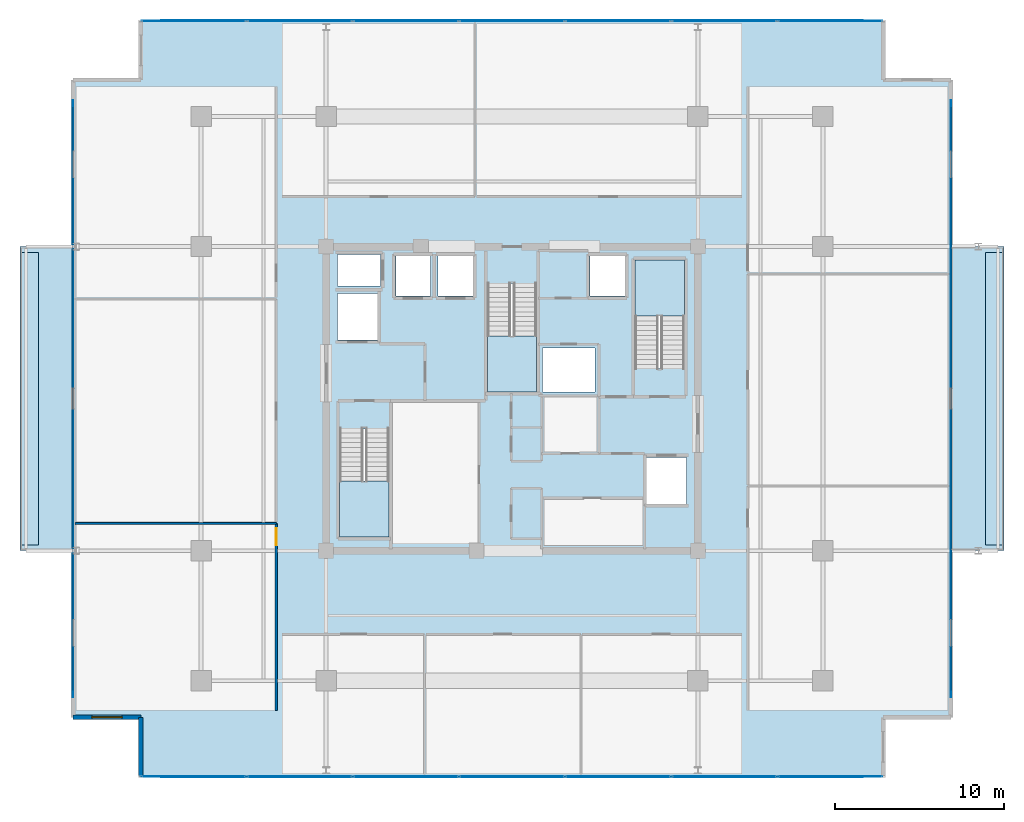
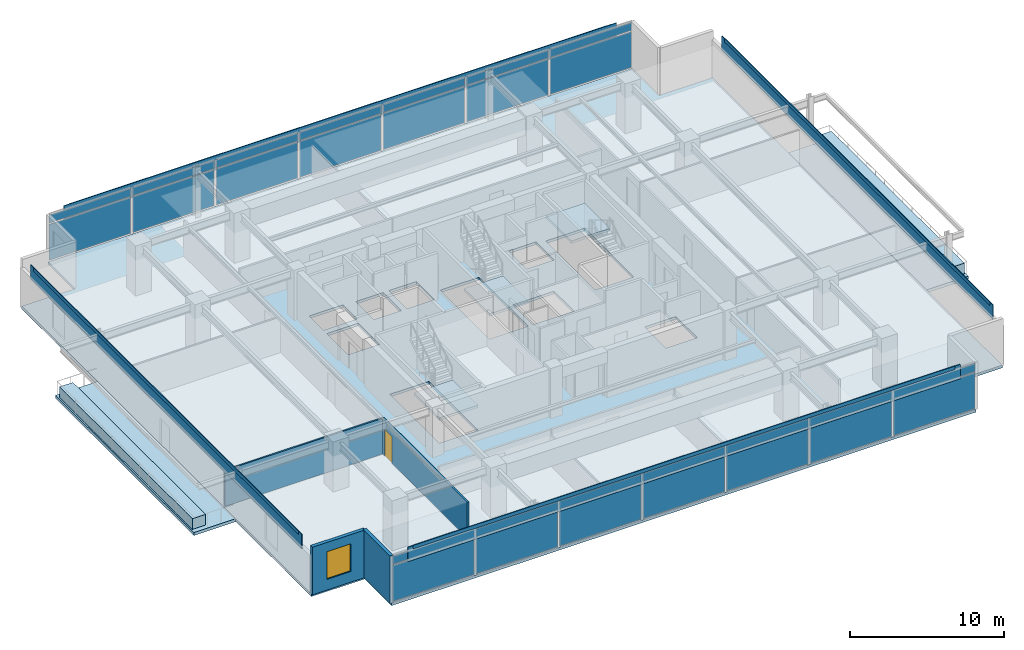
# One storey, part 13 of 21: 36 plates, 8 slabs, 4 walls, 1 door, 1 window, 2 openings, 5 elements without a shape of their own.
"""IFC4 building model written with IfcOpenShell, lengths in metres."""

from ifc_helpers import new_model, si_unit, direction, frame, frame_2d, origin, origin_2d, place, context, subcontext, project, spatial, polyline, rectangle, outline, extrude, material, layer, layer_set, type_object, element, fill, aggregate, save


model = new_model("IFC4")

# Units and contexts
model_context = context("Model", 3, precision=1e-05, world=origin(), true_north=direction((0.0, 1.0)))
body_context = subcontext(model_context, "Body", "Model", "MODEL_VIEW")
ifc_project = project(units=[si_unit("LENGTHUNIT", "METRE"), si_unit("AREAUNIT", "SQUARE_METRE"), si_unit("VOLUMEUNIT", "CUBIC_METRE"), si_unit("PLANEANGLEUNIT", "RADIAN"), si_unit("MASSUNIT", "GRAM", prefix="KILO")], contexts=[model_context])

# Site, building, storey
site_placement = place(None, origin())
site = spatial("IfcSite", under=ifc_project, at=site_placement, CompositionType="ELEMENT")
building_placement = place(site_placement, origin())
building = spatial("IfcBuilding", under=site, at=building_placement, Name="Kovane Verandah Tower", CompositionType="ELEMENT")
storey_placement = place(building_placement, frame((0.0, 0.0, 275.199951171875)))
storey = spatial("IfcBuildingStorey", under=building, at=storey_placement, Name="L64", CompositionType="ELEMENT", Elevation=275.199951171875)

# Curtain wall, plates
ifc_material_1 = material(Name="Champagne Anodised Aluminium Frame with Low-E Clear Laminated Glass", Category="aluminium")
curtain_wall_type = type_object("IfcCurtainWallType", Name="CW-SYS-05-HIGH", PredefinedType="NOTDEFINED", material=ifc_material_1)
curtain_wall_1_placement = place(storey_placement, origin())
curtain_wall_1 = element("IfcCurtainWall", 1, at=curtain_wall_1_placement, inside=storey, type_object=curtain_wall_type, Name="L64 S Unitised Curtain Wall", PredefinedType="NOTDEFINED")
ifc_material_2 = material(Name="Pale Champagne Anodised Aluminium Insulated Spandrel", Category="aluminium")
ifc_layer_1 = layer(ifc_material_2, 0.0400390625)
ifc_layer_set_1 = layer_set([ifc_layer_1], Name="Pale Champagne Anodised Aluminium Insulated Spandrel")
plate_type_1 = type_object("IfcPlateType", Name="PL-CW-SPD-40", PredefinedType="SHEET", material=ifc_layer_set_1)
plate_1_placement = place(storey_placement, frame((21.169189453125, 5.139892578125, 3.05517578125), z_axis=(0.0, 0.0, 1.0), x_axis=(1.0, 0.0, 0.0)))
plate_1 = element("IfcPlate", 2, at=plate_1_placement, type_object=plate_type_1, Name="L64 S Unitised Curtain Wall Spandrel Panel 1", PredefinedType="SHEET", context=body_context, shape_type="SweptSolid", body=[
    extrude(rectangle(XDim=6.136962890625, YDim=0.0400390625, at=origin_2d()), origin(), (0.0, 0.0, 1.0), 0.639892578125),
])
plate_2_placement = place(storey_placement, frame((27.446044921875, 5.139892578125, 3.05517578125), z_axis=(0.0, 0.0, 1.0), x_axis=(1.0, 0.0, 0.0)))
plate_2 = element("IfcPlate", 3, at=plate_2_placement, type_object=plate_type_1, Name="L64 S Unitised Curtain Wall Spandrel Panel 2", PredefinedType="SHEET", context=body_context, shape_type="SweptSolid", body=[
    extrude(rectangle(XDim=6.136962890625, YDim=0.0400390625, at=origin_2d()), origin(), (0.0, 0.0, 1.0), 0.639892578125),
])
plate_3_placement = place(storey_placement, frame((33.72314453125, 5.139892578125, 3.05517578125), z_axis=(0.0, 0.0, 1.0), x_axis=(1.0, 0.0, 0.0)))
plate_3 = element("IfcPlate", 4, at=plate_3_placement, type_object=plate_type_1, Name="L64 S Unitised Curtain Wall Spandrel Panel 3", PredefinedType="SHEET", context=body_context, shape_type="SweptSolid", body=[
    extrude(rectangle(XDim=6.136962890625, YDim=0.0400390625, at=origin_2d()), origin(), (0.0, 0.0, 1.0), 0.639892578125),
])
plate_4_placement = place(storey_placement, frame((40.0, 5.139892578125, 3.05517578125), z_axis=(0.0, 0.0, 1.0), x_axis=(1.0, 0.0, 0.0)))
plate_4 = element("IfcPlate", 5, at=plate_4_placement, type_object=plate_type_1, Name="L64 S Unitised Curtain Wall Spandrel Panel 4", PredefinedType="SHEET", context=body_context, shape_type="SweptSolid", body=[
    extrude(rectangle(XDim=6.136962890625, YDim=0.0400390625, at=origin_2d()), origin(), (0.0, 0.0, 1.0), 0.639892578125),
])
plate_5_placement = place(storey_placement, frame((46.27685546875, 5.139892578125, 3.05517578125), z_axis=(0.0, 0.0, 1.0), x_axis=(1.0, 0.0, 0.0)))
plate_5 = element("IfcPlate", 6, at=plate_5_placement, type_object=plate_type_1, Name="L64 S Unitised Curtain Wall Spandrel Panel 5", PredefinedType="SHEET", context=body_context, shape_type="SweptSolid", body=[
    extrude(rectangle(XDim=6.136962890625, YDim=0.0400390625, at=origin_2d()), origin(), (0.0, 0.0, 1.0), 0.639892578125),
])
plate_6_placement = place(storey_placement, frame((52.553955078125, 5.139892578125, 3.05517578125), z_axis=(0.0, 0.0, 1.0), x_axis=(1.0, 0.0, 0.0)))
plate_6 = element("IfcPlate", 7, at=plate_6_placement, type_object=plate_type_1, Name="L64 S Unitised Curtain Wall Spandrel Panel 6", PredefinedType="SHEET", context=body_context, shape_type="SweptSolid", body=[
    extrude(rectangle(XDim=6.136962890625, YDim=0.0400390625, at=origin_2d()), origin(), (0.0, 0.0, 1.0), 0.639892578125),
])
plate_7_placement = place(storey_placement, frame((58.830810546875, 5.139892578125, 3.05517578125), z_axis=(0.0, 0.0, 1.0), x_axis=(1.0, 0.0, 0.0)))
plate_7 = element("IfcPlate", 8, at=plate_7_placement, type_object=plate_type_1, Name="L64 S Unitised Curtain Wall Spandrel Panel 7", PredefinedType="SHEET", context=body_context, shape_type="SweptSolid", body=[
    extrude(rectangle(XDim=6.136962890625, YDim=0.0400390625, at=origin_2d()), origin(), (0.0, 0.0, 1.0), 0.639892578125),
])

curtain_wall_2_placement = place(storey_placement, origin())
curtain_wall_2 = element("IfcCurtainWall", 9, at=curtain_wall_2_placement, inside=storey, type_object=curtain_wall_type, Name="L64 N Unitised Curtain Wall", PredefinedType="NOTDEFINED")
plate_8_placement = place(storey_placement, frame((58.830810546875, 49.860107421875, 3.05517578125), z_axis=(0.0, 0.0, 1.0), x_axis=(-1.0, 0.0, 0.0)))
plate_8 = element("IfcPlate", 10, at=plate_8_placement, type_object=plate_type_1, Name="L64 N Unitised Curtain Wall Spandrel Panel 1", PredefinedType="SHEET", context=body_context, shape_type="SweptSolid", body=[
    extrude(rectangle(XDim=6.136962890625, YDim=0.0400390625, at=origin_2d()), origin(), (0.0, 0.0, 1.0), 0.639892578125),
])
plate_9_placement = place(storey_placement, frame((52.553955078125, 49.860107421875, 3.05517578125), z_axis=(0.0, 0.0, 1.0), x_axis=(-1.0, 0.0, 0.0)))
plate_9 = element("IfcPlate", 11, at=plate_9_placement, type_object=plate_type_1, Name="L64 N Unitised Curtain Wall Spandrel Panel 2", PredefinedType="SHEET", context=body_context, shape_type="SweptSolid", body=[
    extrude(rectangle(XDim=6.136962890625, YDim=0.0400390625, at=origin_2d()), origin(), (0.0, 0.0, 1.0), 0.639892578125),
])
plate_10_placement = place(storey_placement, frame((46.27685546875, 49.860107421875, 3.05517578125), z_axis=(0.0, 0.0, 1.0), x_axis=(-1.0, 0.0, 0.0)))
plate_10 = element("IfcPlate", 12, at=plate_10_placement, type_object=plate_type_1, Name="L64 N Unitised Curtain Wall Spandrel Panel 3", PredefinedType="SHEET", context=body_context, shape_type="SweptSolid", body=[
    extrude(rectangle(XDim=6.136962890625, YDim=0.0400390625, at=origin_2d()), origin(), (0.0, 0.0, 1.0), 0.639892578125),
])
plate_11_placement = place(storey_placement, frame((40.0, 49.860107421875, 3.05517578125), z_axis=(0.0, 0.0, 1.0), x_axis=(-1.0, 0.0, 0.0)))
plate_11 = element("IfcPlate", 13, at=plate_11_placement, type_object=plate_type_1, Name="L64 N Unitised Curtain Wall Spandrel Panel 4", PredefinedType="SHEET", context=body_context, shape_type="SweptSolid", body=[
    extrude(rectangle(XDim=6.136962890625, YDim=0.0400390625, at=origin_2d()), origin(), (0.0, 0.0, 1.0), 0.639892578125),
])
plate_12_placement = place(storey_placement, frame((33.72314453125, 49.860107421875, 3.05517578125), z_axis=(0.0, 0.0, 1.0), x_axis=(-1.0, 0.0, 0.0)))
plate_12 = element("IfcPlate", 14, at=plate_12_placement, type_object=plate_type_1, Name="L64 N Unitised Curtain Wall Spandrel Panel 5", PredefinedType="SHEET", context=body_context, shape_type="SweptSolid", body=[
    extrude(rectangle(XDim=6.136962890625, YDim=0.0400390625, at=origin_2d()), origin(), (0.0, 0.0, 1.0), 0.639892578125),
])
plate_13_placement = place(storey_placement, frame((27.446044921875, 49.860107421875, 3.05517578125), z_axis=(0.0, 0.0, 1.0), x_axis=(-1.0, 0.0, 0.0)))
plate_13 = element("IfcPlate", 15, at=plate_13_placement, type_object=plate_type_1, Name="L64 N Unitised Curtain Wall Spandrel Panel 6", PredefinedType="SHEET", context=body_context, shape_type="SweptSolid", body=[
    extrude(rectangle(XDim=6.136962890625, YDim=0.0400390625, at=origin_2d()), origin(), (0.0, 0.0, 1.0), 0.639892578125),
])
plate_14_placement = place(storey_placement, frame((21.169189453125, 49.860107421875, 3.05517578125), z_axis=(0.0, 0.0, 1.0), x_axis=(-1.0, 0.0, 0.0)))
plate_14 = element("IfcPlate", 16, at=plate_14_placement, type_object=plate_type_1, Name="L64 N Unitised Curtain Wall Spandrel Panel 7", PredefinedType="SHEET", context=body_context, shape_type="SweptSolid", body=[
    extrude(rectangle(XDim=6.136962890625, YDim=0.0400390625, at=origin_2d()), origin(), (0.0, 0.0, 1.0), 0.639892578125),
])

# Plate
ifc_material_3 = material(Name="Clear Low-E Laminated Double Glazing", Category="glass")
ifc_layer_2 = layer(ifc_material_3, 0.031982421875)
ifc_layer_set_2 = layer_set([ifc_layer_2], Name="Clear Low-E Laminated Double Glazing")
plate_type_2 = type_object("IfcPlateType", Name="PL-CW-VIS-32", PredefinedType="CURTAIN_PANEL", material=ifc_layer_set_2)
plate_15_placement = place(storey_placement, frame((21.169189453125, 5.139892578125, 0.10009765625), z_axis=(0.0, 0.0, 1.0), x_axis=(1.0, 0.0, 0.0)))
plate_15 = element("IfcPlate", 17, at=plate_15_placement, type_object=plate_type_2, Name="L64 S Unitised Curtain Wall Vision Panel 1", PredefinedType="CURTAIN_PANEL", context=body_context, shape_type="SweptSolid", body=[
    extrude(rectangle(XDim=6.136962890625, YDim=0.031982421875, at=origin_2d()), origin(), (0.0, 0.0, 1.0), 2.85498046875),
])

plate_16_placement = place(storey_placement, frame((27.446044921875, 5.139892578125, 0.10009765625), z_axis=(0.0, 0.0, 1.0), x_axis=(1.0, 0.0, 0.0)))
plate_16 = element("IfcPlate", 18, at=plate_16_placement, type_object=plate_type_2, Name="L64 S Unitised Curtain Wall Vision Panel 2", PredefinedType="CURTAIN_PANEL", context=body_context, shape_type="SweptSolid", body=[
    extrude(rectangle(XDim=6.136962890625, YDim=0.031982421875, at=origin_2d()), origin(), (0.0, 0.0, 1.0), 2.85498046875),
])

plate_17_placement = place(storey_placement, frame((33.72314453125, 5.139892578125, 0.10009765625), z_axis=(0.0, 0.0, 1.0), x_axis=(1.0, 0.0, 0.0)))
plate_17 = element("IfcPlate", 19, at=plate_17_placement, type_object=plate_type_2, Name="L64 S Unitised Curtain Wall Vision Panel 3", PredefinedType="CURTAIN_PANEL", context=body_context, shape_type="SweptSolid", body=[
    extrude(rectangle(XDim=6.136962890625, YDim=0.031982421875, at=origin_2d()), origin(), (0.0, 0.0, 1.0), 2.85498046875),
])

plate_18_placement = place(storey_placement, frame((40.0, 5.139892578125, 0.10009765625), z_axis=(0.0, 0.0, 1.0), x_axis=(1.0, 0.0, 0.0)))
plate_18 = element("IfcPlate", 20, at=plate_18_placement, type_object=plate_type_2, Name="L64 S Unitised Curtain Wall Vision Panel 4", PredefinedType="CURTAIN_PANEL", context=body_context, shape_type="SweptSolid", body=[
    extrude(rectangle(XDim=6.136962890625, YDim=0.031982421875, at=origin_2d()), origin(), (0.0, 0.0, 1.0), 2.85498046875),
])

plate_19_placement = place(storey_placement, frame((46.27685546875, 5.139892578125, 0.10009765625), z_axis=(0.0, 0.0, 1.0), x_axis=(1.0, 0.0, 0.0)))
plate_19 = element("IfcPlate", 21, at=plate_19_placement, type_object=plate_type_2, Name="L64 S Unitised Curtain Wall Vision Panel 5", PredefinedType="CURTAIN_PANEL", context=body_context, shape_type="SweptSolid", body=[
    extrude(rectangle(XDim=6.136962890625, YDim=0.031982421875, at=origin_2d()), origin(), (0.0, 0.0, 1.0), 2.85498046875),
])

plate_20_placement = place(storey_placement, frame((52.553955078125, 5.139892578125, 0.10009765625), z_axis=(0.0, 0.0, 1.0), x_axis=(1.0, 0.0, 0.0)))
plate_20 = element("IfcPlate", 22, at=plate_20_placement, type_object=plate_type_2, Name="L64 S Unitised Curtain Wall Vision Panel 6", PredefinedType="CURTAIN_PANEL", context=body_context, shape_type="SweptSolid", body=[
    extrude(rectangle(XDim=6.136962890625, YDim=0.031982421875, at=origin_2d()), origin(), (0.0, 0.0, 1.0), 2.85498046875),
])

plate_21_placement = place(storey_placement, frame((58.830810546875, 5.139892578125, 0.10009765625), z_axis=(0.0, 0.0, 1.0), x_axis=(1.0, 0.0, 0.0)))
plate_21 = element("IfcPlate", 23, at=plate_21_placement, type_object=plate_type_2, Name="L64 S Unitised Curtain Wall Vision Panel 7", PredefinedType="CURTAIN_PANEL", context=body_context, shape_type="SweptSolid", body=[
    extrude(rectangle(XDim=6.136962890625, YDim=0.031982421875, at=origin_2d()), origin(), (0.0, 0.0, 1.0), 2.85498046875),
])

aggregate(curtain_wall_1, [plate_15, plate_1, plate_16, plate_2, plate_17, plate_3, plate_18, plate_4, plate_19, plate_5, plate_20, plate_6, plate_21, plate_7])

plate_22_placement = place(storey_placement, frame((58.830810546875, 49.860107421875, 0.10009765625), z_axis=(0.0, 0.0, 1.0), x_axis=(-1.0, 0.0, 0.0)))
plate_22 = element("IfcPlate", 24, at=plate_22_placement, type_object=plate_type_2, Name="L64 N Unitised Curtain Wall Vision Panel 1", PredefinedType="CURTAIN_PANEL", context=body_context, shape_type="SweptSolid", body=[
    extrude(rectangle(XDim=6.136962890625, YDim=0.031982421875, at=origin_2d()), origin(), (0.0, 0.0, 1.0), 2.85498046875),
])

plate_23_placement = place(storey_placement, frame((52.553955078125, 49.860107421875, 0.10009765625), z_axis=(0.0, 0.0, 1.0), x_axis=(-1.0, 0.0, 0.0)))
plate_23 = element("IfcPlate", 25, at=plate_23_placement, type_object=plate_type_2, Name="L64 N Unitised Curtain Wall Vision Panel 2", PredefinedType="CURTAIN_PANEL", context=body_context, shape_type="SweptSolid", body=[
    extrude(rectangle(XDim=6.136962890625, YDim=0.031982421875, at=origin_2d()), origin(), (0.0, 0.0, 1.0), 2.85498046875),
])

plate_24_placement = place(storey_placement, frame((46.27685546875, 49.860107421875, 0.10009765625), z_axis=(0.0, 0.0, 1.0), x_axis=(-1.0, 0.0, 0.0)))
plate_24 = element("IfcPlate", 26, at=plate_24_placement, type_object=plate_type_2, Name="L64 N Unitised Curtain Wall Vision Panel 3", PredefinedType="CURTAIN_PANEL", context=body_context, shape_type="SweptSolid", body=[
    extrude(rectangle(XDim=6.136962890625, YDim=0.031982421875, at=origin_2d()), origin(), (0.0, 0.0, 1.0), 2.85498046875),
])

plate_25_placement = place(storey_placement, frame((40.0, 49.860107421875, 0.10009765625), z_axis=(0.0, 0.0, 1.0), x_axis=(-1.0, 0.0, 0.0)))
plate_25 = element("IfcPlate", 27, at=plate_25_placement, type_object=plate_type_2, Name="L64 N Unitised Curtain Wall Vision Panel 4", PredefinedType="CURTAIN_PANEL", context=body_context, shape_type="SweptSolid", body=[
    extrude(rectangle(XDim=6.136962890625, YDim=0.031982421875, at=origin_2d()), origin(), (0.0, 0.0, 1.0), 2.85498046875),
])

plate_26_placement = place(storey_placement, frame((33.72314453125, 49.860107421875, 0.10009765625), z_axis=(0.0, 0.0, 1.0), x_axis=(-1.0, 0.0, 0.0)))
plate_26 = element("IfcPlate", 28, at=plate_26_placement, type_object=plate_type_2, Name="L64 N Unitised Curtain Wall Vision Panel 5", PredefinedType="CURTAIN_PANEL", context=body_context, shape_type="SweptSolid", body=[
    extrude(rectangle(XDim=6.136962890625, YDim=0.031982421875, at=origin_2d()), origin(), (0.0, 0.0, 1.0), 2.85498046875),
])

plate_27_placement = place(storey_placement, frame((27.446044921875, 49.860107421875, 0.10009765625), z_axis=(0.0, 0.0, 1.0), x_axis=(-1.0, 0.0, 0.0)))
plate_27 = element("IfcPlate", 29, at=plate_27_placement, type_object=plate_type_2, Name="L64 N Unitised Curtain Wall Vision Panel 6", PredefinedType="CURTAIN_PANEL", context=body_context, shape_type="SweptSolid", body=[
    extrude(rectangle(XDim=6.136962890625, YDim=0.031982421875, at=origin_2d()), origin(), (0.0, 0.0, 1.0), 2.85498046875),
])

plate_28_placement = place(storey_placement, frame((21.169189453125, 49.860107421875, 0.10009765625), z_axis=(0.0, 0.0, 1.0), x_axis=(-1.0, 0.0, 0.0)))
plate_28 = element("IfcPlate", 30, at=plate_28_placement, type_object=plate_type_2, Name="L64 N Unitised Curtain Wall Vision Panel 7", PredefinedType="CURTAIN_PANEL", context=body_context, shape_type="SweptSolid", body=[
    extrude(rectangle(XDim=6.136962890625, YDim=0.031982421875, at=origin_2d()), origin(), (0.0, 0.0, 1.0), 2.85498046875),
])

aggregate(curtain_wall_2, [plate_22, plate_8, plate_23, plate_9, plate_24, plate_10, plate_25, plate_11, plate_26, plate_12, plate_27, plate_13, plate_28, plate_14])

# Plates
ifc_material_4 = material(Name="Perforated Pale Champagne Anodised Aluminium Solar Screen", Category="aluminium")
ifc_layer_3 = layer(ifc_material_4, 0.050048828125)
ifc_layer_set_3 = layer_set([ifc_layer_3], Name="Perforated Pale Champagne Anodised Aluminium Solar Screen")
plate_type_3 = type_object("IfcPlateType", Name="PL-SCREEN-50", PredefinedType="USERDEFINED", material=ifc_layer_set_3)
plate_29_placement = place(storey_placement, frame((40.0, 5.125, 2.885009765625), z_axis=(0.0, 0.0, 1.0), x_axis=(1.0, 0.0, 0.0)))
element("IfcPlate", 31, at=plate_29_placement, inside=storey, type_object=plate_type_3, Name="L64 S Perforated Champagne-Gold Solar Screen", ObjectType="SCREEN", PredefinedType="USERDEFINED", context=body_context, shape_type="SweptSolid", body=[
    extrude(rectangle(XDim=41.5390625, YDim=0.050048828125, at=origin_2d()), origin(), (0.0, 0.0, 1.0), 1.14990234375),
])
plate_30_placement = place(storey_placement, frame((65.984375, 27.5, 2.885009765625), z_axis=(0.0, 0.0, 1.0), x_axis=(0.0, 1.0, 0.0)))
element("IfcPlate", 32, at=plate_30_placement, inside=storey, type_object=plate_type_3, Name="L64 E Perforated Champagne-Gold Solar Screen", ObjectType="SCREEN", PredefinedType="USERDEFINED", context=body_context, shape_type="SweptSolid", body=[
    extrude(rectangle(XDim=35.320068359375, YDim=0.050048828125, at=origin_2d()), origin(), (0.0, 0.0, 1.0), 1.14990234375),
])
plate_31_placement = place(storey_placement, frame((40.0, 49.875, 2.885009765625), z_axis=(0.0, 0.0, 1.0), x_axis=(-1.0, 0.0, 0.0)))
element("IfcPlate", 33, at=plate_31_placement, inside=storey, type_object=plate_type_3, Name="L64 N Perforated Champagne-Gold Solar Screen", ObjectType="SCREEN", PredefinedType="USERDEFINED", context=body_context, shape_type="SweptSolid", body=[
    extrude(rectangle(XDim=41.5390625, YDim=0.050048828125, at=origin_2d()), origin(), (0.0, 0.0, 1.0), 1.14990234375),
])
plate_32_placement = place(storey_placement, frame((14.015625, 27.5, 2.885009765625), z_axis=(0.0, 0.0, 1.0), x_axis=(0.0, -1.0, 0.0)))
element("IfcPlate", 34, at=plate_32_placement, inside=storey, type_object=plate_type_3, Name="L64 W Perforated Champagne-Gold Solar Screen", ObjectType="SCREEN", PredefinedType="USERDEFINED", context=body_context, shape_type="SweptSolid", body=[
    extrude(rectangle(XDim=35.320068359375, YDim=0.050048828125, at=origin_2d()), origin(), (0.0, 0.0, 1.0), 1.14990234375),
])
ifc_material_5 = material(Name="Extruded Pale-Bronze Aluminium Aerofoil Sunshade", Category="aluminium")
ifc_layer_4 = layer(ifc_material_5, 0.06005859375)
ifc_layer_set_4 = layer_set([ifc_layer_4], Name="Extruded Pale-Bronze Aluminium Aerofoil Sunshade")
plate_type_4 = type_object("IfcPlateType", Name="PL-SUNSHADE-60", PredefinedType="USERDEFINED", material=ifc_layer_set_4)
plate_33_placement = place(storey_placement, frame((40.0, 5.119873046875, 3.76513671875), z_axis=(0.0, 0.0, 1.0), x_axis=(1.0, 0.0, 0.0)))
element("IfcPlate", 35, at=plate_33_placement, inside=storey, type_object=plate_type_4, Name="L64 S Subtropical Aerofoil Sunshade", ObjectType="SUNSHADE", PredefinedType="USERDEFINED", context=body_context, shape_type="SweptSolid", body=[
    extrude(rectangle(XDim=40.739013671875, YDim=0.06005859375, at=origin_2d()), origin(), (0.0, 0.0, 1.0), 0.280029296875),
])
plate_34_placement = place(storey_placement, frame((65.9892578125, 27.5, 3.76513671875), z_axis=(0.0, 0.0, 1.0), x_axis=(0.0, 1.0, 0.0)))
element("IfcPlate", 36, at=plate_34_placement, inside=storey, type_object=plate_type_4, Name="L64 E Subtropical Aerofoil Sunshade", ObjectType="SUNSHADE", PredefinedType="USERDEFINED", context=body_context, shape_type="SweptSolid", body=[
    extrude(rectangle(XDim=34.52001953125, YDim=0.06005859375, at=origin_2d()), origin(), (0.0, 0.0, 1.0), 0.280029296875),
])
plate_35_placement = place(storey_placement, frame((40.0, 49.880126953125, 3.76513671875), z_axis=(0.0, 0.0, 1.0), x_axis=(-1.0, 0.0, 0.0)))
element("IfcPlate", 37, at=plate_35_placement, inside=storey, type_object=plate_type_4, Name="L64 N Subtropical Aerofoil Sunshade", ObjectType="SUNSHADE", PredefinedType="USERDEFINED", context=body_context, shape_type="SweptSolid", body=[
    extrude(rectangle(XDim=40.739013671875, YDim=0.06005859375, at=origin_2d()), origin(), (0.0, 0.0, 1.0), 0.280029296875),
])
plate_36_placement = place(storey_placement, frame((14.0107421875, 27.5, 3.76513671875), z_axis=(0.0, 0.0, 1.0), x_axis=(0.0, -1.0, 0.0)))
element("IfcPlate", 38, at=plate_36_placement, inside=storey, type_object=plate_type_4, Name="L64 W Subtropical Aerofoil Sunshade", ObjectType="SUNSHADE", PredefinedType="USERDEFINED", context=body_context, shape_type="SweptSolid", body=[
    extrude(rectangle(XDim=34.52001953125, YDim=0.06005859375, at=origin_2d()), origin(), (0.0, 0.0, 1.0), 0.280029296875),
])

# Slabs
ifc_material_6 = material(Name="Concrete C45/55", Category="concrete")
ifc_layer_5 = layer(ifc_material_6, 0.239990234375)
ifc_layer_set_5 = layer_set([ifc_layer_5], Name="Concrete C45/55")
slab_type_1 = type_object("IfcSlabType", Name="SL-BALC-240", PredefinedType="FLOOR", material=ifc_layer_set_5)
slab_1_placement = place(storey_placement, frame((0.0, 0.0, -0.239990234375)))
element("IfcSlab", 39, at=slab_1_placement, inside=storey, type_object=slab_type_1, Name="L64 E Planted Verandah Balcony Slab", PredefinedType="FLOOR", context=body_context, shape_type="SweptSolid", body=[
    extrude(outline(polyline([(65.96923828125, 18.5), (69.119384765625, 18.5), (69.119384765625, 36.5), (65.96923828125, 36.5), (65.96923828125, 18.5)])), origin(), (0.0, 0.0, 1.0), 0.239990234375),
])
slab_2_placement = place(storey_placement, frame((0.0, 0.0, -0.239990234375)))
element("IfcSlab", 40, at=slab_2_placement, inside=storey, type_object=slab_type_1, Name="L64 W Planted Verandah Balcony Slab", PredefinedType="FLOOR", context=body_context, shape_type="SweptSolid", body=[
    extrude(outline(polyline([(10.880615234375, 18.5), (14.03076171875, 18.5), (14.03076171875, 36.5), (10.880615234375, 36.5), (10.880615234375, 18.5)])), origin(), (0.0, 0.0, 1.0), 0.239990234375),
])
ifc_layer_6 = layer(ifc_material_6, 0.215087890625)
ifc_layer_set_6 = layer_set([ifc_layer_6], Name="Concrete C45/55")
slab_type_2 = type_object("IfcSlabType", Name="SL-HIGH-215", PredefinedType="FLOOR", material=ifc_layer_set_6)
slab_3_placement = place(storey_placement, frame((0.0, 0.0, -0.21484375)))
element("IfcSlab", 41, at=slab_3_placement, inside=storey, type_object=slab_type_2, Name="L64 Structural Floor Slab", PredefinedType="FLOOR", context=body_context, shape_type="SweptSolid", body=[
    extrude(outline(polyline([(18.03076171875, 5.139892578125), (61.96923828125, 5.139892578125), (61.96923828125, 8.639892578125), (65.96923828125, 8.639892578125), (65.96923828125, 46.360107421875), (61.96923828125, 46.360107421875), (61.96923828125, 49.860107421875), (18.03076171875, 49.860107421875), (18.03076171875, 46.360107421875), (14.03076171875, 46.360107421875), (14.03076171875, 8.639892578125), (18.03076171875, 8.639892578125), (18.03076171875, 5.139892578125)]), holes=[polyline([(29.800048828125, 19.300048828125), (32.719970703125, 19.300048828125), (32.719970703125, 25.705078125), (29.800048828125, 25.705078125), (29.800048828125, 19.300048828125)]), polyline([(47.280029296875, 29.294921875), (50.199951171875, 29.294921875), (50.199951171875, 35.699951171875), (47.280029296875, 35.699951171875), (47.280029296875, 29.294921875)]), polyline([(38.5400390625, 27.89990234375), (41.4599609375, 27.89990234375), (41.4599609375, 34.304931640625), (38.5400390625, 34.304931640625), (38.5400390625, 27.89990234375)]), polyline([(29.669921875, 30.969970703125), (32.030029296875, 30.969970703125), (32.030029296875, 33.72998046875), (29.669921875, 33.72998046875), (29.669921875, 30.969970703125)]), polyline([(47.969970703125, 21.27001953125), (50.330078125, 21.27001953125), (50.330078125, 24.030029296875), (47.969970703125, 24.030029296875), (47.969970703125, 21.27001953125)]), polyline([(29.669921875, 34.169921875), (32.22998046875, 34.169921875), (32.22998046875, 36.030029296875), (29.669921875, 36.030029296875), (29.669921875, 34.169921875)]), polyline([(33.1201171875, 33.570068359375), (35.179931640625, 33.570068359375), (35.179931640625, 35.929931640625), (33.1201171875, 35.929931640625), (33.1201171875, 33.570068359375)]), polyline([(35.6201171875, 33.570068359375), (37.679931640625, 33.570068359375), (37.679931640625, 35.929931640625), (35.6201171875, 35.929931640625), (35.6201171875, 33.570068359375)]), polyline([(44.6201171875, 33.570068359375), (46.679931640625, 33.570068359375), (46.679931640625, 35.929931640625), (44.6201171875, 35.929931640625), (44.6201171875, 33.570068359375)]), polyline([(41.800048828125, 27.89990234375), (44.89990234375, 27.89990234375), (44.89990234375, 30.5), (41.800048828125, 30.5), (41.800048828125, 27.89990234375)])]), origin(), (0.0, 0.0, 1.0), 0.21484375),
])

# Stair, slab
stair_type = type_object("IfcStairType", Name="ST-CORE-1380", PredefinedType="HALF_TURN_STAIR", material=ifc_material_6)
stair_1_placement = place(storey_placement, origin())
stair_1 = element("IfcStair", 42, at=stair_1_placement, inside=storey, type_object=stair_type, Name="L64 Exit Stair ST-01", PredefinedType="HALF_TURN_STAIR")
ifc_layer_7 = layer(ifc_material_6, 0.199951171875)
ifc_layer_set_7 = layer_set([ifc_layer_7], Name="Concrete C45/55")
slab_type_3 = type_object("IfcSlabType", Name="SL-LAND-200", PredefinedType="LANDING", material=ifc_layer_set_7)
slab_4_placement = place(storey_placement, frame((0.0, 0.0, 1.800048828125)))
slab_4 = element("IfcSlab", 43, at=slab_4_placement, type_object=slab_type_3, Name="ST-01 landing 1", PredefinedType="LANDING", context=body_context, shape_type="SweptSolid", body=[
    extrude(outline(polyline([(29.800048828125, 22.614990234375), (29.800048828125, 19.300048828125), (32.719970703125, 19.300048828125), (32.719970703125, 22.614990234375), (29.800048828125, 22.614990234375)])), origin(), (0.0, 0.0, 1.0), 0.199951171875),
])
aggregate(stair_1, [slab_4])

stair_2_placement = place(storey_placement, origin())
stair_2 = element("IfcStair", 44, at=stair_2_placement, inside=storey, type_object=stair_type, Name="L64 Exit Stair ST-02", PredefinedType="HALF_TURN_STAIR")
slab_5_placement = place(storey_placement, frame((0.0, 0.0, 1.800048828125)))
slab_5 = element("IfcSlab", 45, at=slab_5_placement, type_object=slab_type_3, Name="ST-02 landing 1", PredefinedType="LANDING", context=body_context, shape_type="SweptSolid", body=[
    extrude(outline(polyline([(50.199951171875, 32.385009765625), (50.199951171875, 35.699951171875), (47.280029296875, 35.699951171875), (47.280029296875, 32.385009765625), (50.199951171875, 32.385009765625)])), origin(), (0.0, 0.0, 1.0), 0.199951171875),
])
aggregate(stair_2, [slab_5])

stair_3_placement = place(storey_placement, origin())
stair_3 = element("IfcStair", 46, at=stair_3_placement, inside=storey, type_object=stair_type, Name="L64 Exit Stair ST-03", PredefinedType="HALF_TURN_STAIR")
slab_6_placement = place(storey_placement, frame((0.0, 0.0, 1.800048828125)))
slab_6 = element("IfcSlab", 47, at=slab_6_placement, type_object=slab_type_3, Name="ST-03 landing 1", PredefinedType="LANDING", context=body_context, shape_type="SweptSolid", body=[
    extrude(outline(polyline([(38.5400390625, 31.215087890625), (38.5400390625, 27.89990234375), (41.4599609375, 27.89990234375), (41.4599609375, 31.215087890625), (38.5400390625, 31.215087890625)])), origin(), (0.0, 0.0, 1.0), 0.199951171875),
])
aggregate(stair_3, [slab_6])

# Slabs
ifc_material_7 = material(Name="Architectural Precast Concrete C45/55 Planter Trough", Category="concrete")
ifc_layer_8 = layer(ifc_material_7, 0.219970703125)
ifc_layer_set_8 = layer_set([ifc_layer_8], Name="Architectural Precast Concrete C45/55 Planter Trough")
slab_type_4 = type_object("IfcSlabType", Name="SL-PLANTER-220", PredefinedType="USERDEFINED", material=ifc_layer_set_8)
slab_7_placement = place(storey_placement, origin())
element("IfcSlab", 48, at=slab_7_placement, inside=storey, type_object=slab_type_4, Name="L64 E Structural Tree Planter", ObjectType="PLANTER", PredefinedType="USERDEFINED", context=body_context, shape_type="SweptSolid", body=[
    extrude(outline(polyline([(68.019287109375, 18.85009765625), (69.019287109375, 18.85009765625), (69.019287109375, 36.14990234375), (68.019287109375, 36.14990234375), (68.019287109375, 18.85009765625)])), origin(), (0.0, 0.0, 1.0), 0.85009765625),
])
slab_8_placement = place(storey_placement, origin())
element("IfcSlab", 49, at=slab_8_placement, inside=storey, type_object=slab_type_4, Name="L64 W Structural Tree Planter", ObjectType="PLANTER", PredefinedType="USERDEFINED", context=body_context, shape_type="SweptSolid", body=[
    extrude(outline(polyline([(10.980712890625, 18.85009765625), (11.980712890625, 18.85009765625), (11.980712890625, 36.14990234375), (10.980712890625, 36.14990234375), (10.980712890625, 18.85009765625)])), origin(), (0.0, 0.0, 1.0), 0.85009765625),
])

# Wall, opening, door
ifc_material_8 = material(Name="Fire-Rated Gypsum Stud Partition", Category="gypsum")
ifc_layer_9 = layer(ifc_material_8, 0.14990234375)
ifc_layer_set_9 = layer_set([ifc_layer_9], Name="Fire-Rated Gypsum Stud Partition")
wall_type_1 = type_object("IfcWallType", Name="WL-COR-150", PredefinedType="PARTITIONING", material=ifc_layer_set_9)
wall_1_placement = place(storey_placement, frame((26.050048828125, 9.039794921875, 0.0), z_axis=(0.0, 0.0, 1.0), x_axis=(0.0, 1.0, 0.0)))
wall_1 = element("IfcWall", 50, at=wall_1_placement, inside=storey, type_object=wall_type_1, Name="L64 Breakout Pantry W1 Corridor Partition", PredefinedType="PARTITIONING", context=body_context, shape_type="SweptSolid", body=[
    extrude(rectangle(XDim=11.076171875, YDim=0.14990234375, at=frame_2d((5.5380859375, 0.0))), origin(), (0.0, 0.0, 1.0), 2.85009765625),
])
opening_1_placement = place(wall_1_placement, frame((9.783203125, 0.0, 0.0)))
opening_1 = element("IfcOpeningElement", 51, at=opening_1_placement, cuts=wall_1, Name="Opening DR-L64-027", PredefinedType="OPENING", context=body_context, shape_type="SweptSolid", body=[
    extrude(rectangle(XDim=1.0, YDim=2.14990234375, at=frame_2d((0.5, 1.074951171875))), frame((0.0, 0.074951171875, 0.0), z_axis=(0.0, -1.0, 0.0), x_axis=(1.0, 0.0, 0.0)), (0.0, 0.0, 1.0), 0.14990234375),
])
ifc_material_9 = material(Name="FSC Spotted-Gum Timber Fire-Rated Office Door", Category="wood")
door_type = type_object("IfcDoorType", Name="DR-OFF-1000", OperationType="SINGLE_SWING_LEFT", PredefinedType="DOOR", material=ifc_material_9)
door_placement = place(opening_1_placement, origin())
door = element("IfcDoor", 52, at=door_placement, inside=storey, type_object=door_type, Name="L64 Breakout Pantry W1 Entrance Door", OperationType="SINGLE_SWING_LEFT", OverallHeight=2.14990234375, OverallWidth=1.0, PredefinedType="DOOR", context=body_context, shape_type="SweptSolid", body=[
    extrude(rectangle(XDim=1.0, YDim=2.14990234375, at=frame_2d((0.5, 1.074951171875))), frame((0.0, 0.02490234375, 0.0), z_axis=(0.0, -1.0, 0.0), x_axis=(1.0, 0.0, 0.0)), (0.0, 0.0, 1.0), 0.050048828125),
])
fill(opening_1, door)

# Wall
ifc_material_10 = material(Name="Acoustic Fire-Rated Gypsum Partition", Category="gypsum")
ifc_layer_10 = layer(ifc_material_10, 0.1201171875)
ifc_layer_set_10 = layer_set([ifc_layer_10], Name="Acoustic Fire-Rated Gypsum Partition")
wall_type_2 = type_object("IfcWallType", Name="WL-PART-120", PredefinedType="PARTITIONING", material=ifc_layer_set_10)
wall_2_placement = place(storey_placement, frame((14.130615234375, 20.115966796875, 0.0), z_axis=(0.0, 0.0, 1.0), x_axis=(1.0, 0.0, 0.0)))
element("IfcWall", 53, at=wall_2_placement, inside=storey, type_object=wall_type_2, Name="L64 Breakout Pantry W1 Dividing Partition", PredefinedType="PARTITIONING", context=body_context, shape_type="SweptSolid", body=[
    extrude(rectangle(XDim=11.91943359375, YDim=0.1201171875, at=frame_2d((5.959716796875, 0.0))), origin(), (0.0, 0.0, 1.0), 2.85009765625),
])

# Wall, opening, window
ifc_material_11 = material(Name="Concrete C45/55 Insulated Spandrel Wall", Category="concrete")
ifc_layer_11 = layer(ifc_material_11, 0.260009765625)
ifc_layer_set_11 = layer_set([ifc_layer_11], Name="Concrete C45/55 Insulated Spandrel Wall")
wall_type_3 = type_object("IfcWallType", Name="WL-SPANDREL-260", PredefinedType="PARAPET", material=ifc_layer_set_11)
wall_3_placement = place(storey_placement, frame((14.03076171875, 8.639892578125, 0.0), z_axis=(0.0, 0.0, 1.0), x_axis=(1.0, 0.0, 0.0)))
wall_3 = element("IfcWall", 54, at=wall_3_placement, inside=storey, type_object=wall_type_3, Name="L64 SW Notch Cheek Wall 1", PredefinedType="PARAPET", context=body_context, shape_type="SweptSolid", body=[
    extrude(rectangle(XDim=4.0, YDim=0.260009765625, at=frame_2d((2.0, 0.0))), origin(), (0.0, 0.0, 1.0), 3.78515625),
])
opening_2_placement = place(wall_3_placement, frame((1.10009765625, 0.0, 0.85009765625)))
opening_2 = element("IfcOpeningElement", 55, at=opening_2_placement, cuts=wall_3, Name="Opening W-03", PredefinedType="OPENING", context=body_context, shape_type="SweptSolid", body=[
    extrude(rectangle(XDim=1.800048828125, YDim=2.199951171875, at=frame_2d((0.89990234375, 1.10009765625))), frame((0.0, 0.1298828125, 0.0), z_axis=(0.0, -1.0, 0.0), x_axis=(1.0, 0.0, 0.0)), (0.0, 0.0, 1.0), 0.260009765625),
])
ifc_material_12 = material(Name="Clear Low-E Laminated Double Glazing in Anodised Frame", Category="glass")
window_type = type_object("IfcWindowType", Name="WN-NOTCH-1800x2200", PartitioningType="SINGLE_PANEL", PredefinedType="WINDOW", material=ifc_material_12)
window_placement = place(opening_2_placement, origin())
window = element("IfcWindow", 56, at=window_placement, inside=storey, type_object=window_type, Name="L64 SW Re-Entrant Corner Operable Window", OverallHeight=2.199951171875, OverallWidth=1.800048828125, PartitioningType="SINGLE_PANEL", PredefinedType="WINDOW", context=body_context, shape_type="SweptSolid", body=[
    extrude(rectangle(XDim=1.800048828125, YDim=2.199951171875, at=frame_2d((0.89990234375, 1.10009765625))), frame((0.0, 0.030029296875, 0.0), z_axis=(0.0, -1.0, 0.0), x_axis=(1.0, 0.0, 0.0)), (0.0, 0.0, 1.0), 0.06005859375),
])
fill(opening_2, window)

# Wall
wall_4_placement = place(storey_placement, frame((18.03076171875, 8.639892578125, 0.0), z_axis=(0.0, 0.0, 1.0), x_axis=(0.0, -1.0, 0.0)))
element("IfcWall", 57, at=wall_4_placement, inside=storey, type_object=wall_type_3, Name="L64 SW Notch Cheek Wall 2", PredefinedType="PARAPET", context=body_context, shape_type="SweptSolid", body=[
    extrude(rectangle(XDim=3.5, YDim=0.260009765625, at=frame_2d((1.75, 0.0))), origin(), (0.0, 0.0, 1.0), 3.78515625),
])

save(model, "model.ifc")
